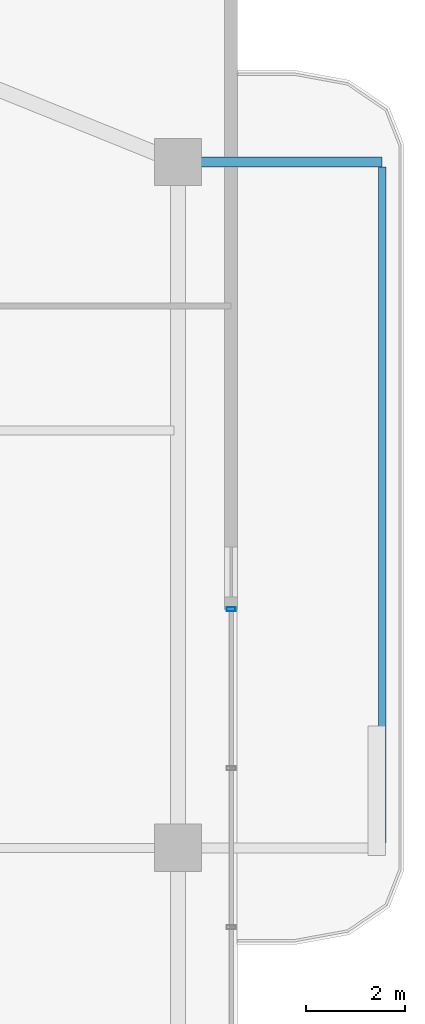
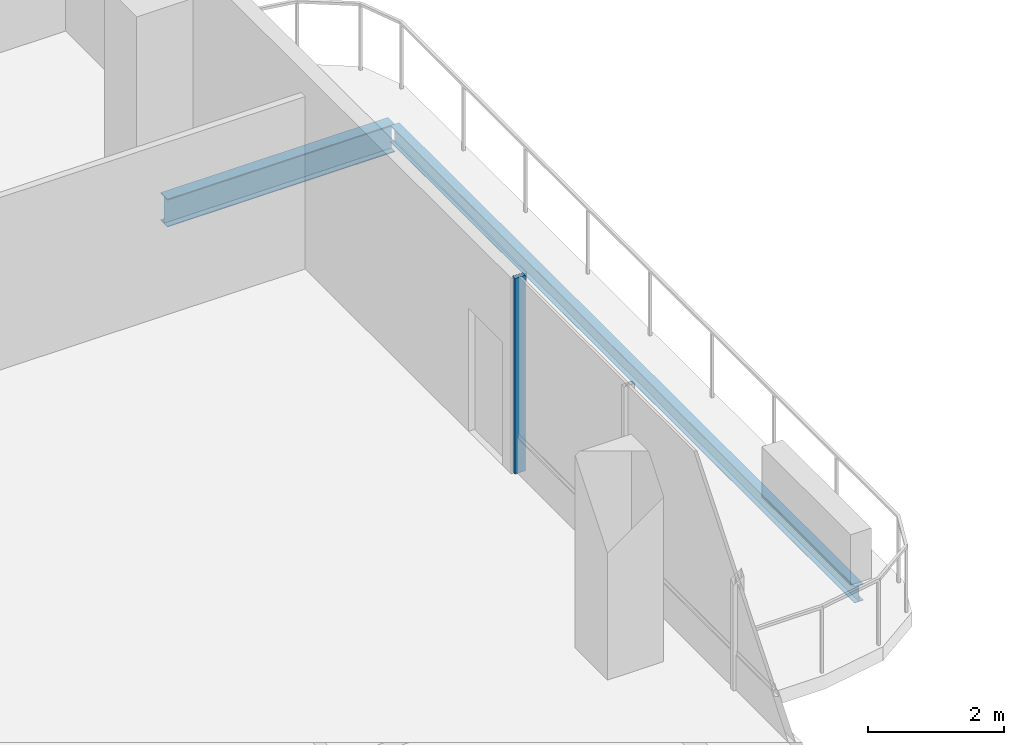
# One storey, part 15 of 24: 2 beams, 1 member, 1 element without a shape of its own.
"""IFC4 building model written with IfcOpenShell, lengths in metres."""

from ifc_helpers import new_model, si_unit, direction, frame, origin, origin_2d, place, context, subcontext, project, spatial, hollow_rectangle, i_section, extrude, material, layer, layer_set, material_profile, profile_set, type_object, element, aggregate, save


model = new_model("IFC4")

# Units and contexts
model_context = context("Model", 3, precision=1e-05, world=origin(), true_north=direction((0.0, 1.0)))
body_context = subcontext(model_context, "Body", "Model", "MODEL_VIEW")
ifc_project = project(units=[si_unit("LENGTHUNIT", "METRE"), si_unit("AREAUNIT", "SQUARE_METRE"), si_unit("VOLUMEUNIT", "CUBIC_METRE"), si_unit("PLANEANGLEUNIT", "RADIAN"), si_unit("MASSUNIT", "GRAM", prefix="KILO")], contexts=[model_context])

# Site, building, storey
site_placement = place(None, origin())
site = spatial("IfcSite", under=ifc_project, at=site_placement, CompositionType="ELEMENT")
building_placement = place(site_placement, origin())
building = spatial("IfcBuilding", under=site, at=building_placement, Name="Belovzor Exchange Tower", CompositionType="ELEMENT")
storey_placement = place(building_placement, frame((0.0, 0.0, 261.60009765625)))
storey = spatial("IfcBuildingStorey", under=building, at=storey_placement, Name="L65", CompositionType="ELEMENT", Elevation=261.60009765625)

# Beams
ifc_material_1 = material(Name="Steel S355", Category="steel")
ifc_material_profile_1 = material_profile(ifc_material_1, i_section(OverallWidth=0.199951171875, OverallDepth=0.5, WebThickness=0.01025390625, FlangeThickness=0.01611328125, at=origin_2d()))
ifc_profile_set_1 = profile_set([ifc_material_profile_1], Name="Steel S355")
beam_type_1 = type_object("IfcBeamType", Name="Planted Balcony Cantilever Beam IPE 500", PredefinedType="BEAM", material=ifc_profile_set_1)
beam_1_placement = place(storey_placement, frame((52.760986328125, 42.60009765625, -0.5), z_axis=(1.0, 0.0, 0.0), x_axis=(0.0, 1.0, 0.0)))
element("IfcBeam", 1, at=beam_1_placement, inside=storey, type_object=beam_type_1, Name="BC-500 Planted Balcony Cantilever Beam IPE 500", PredefinedType="BEAM", context=body_context, shape_type="SweptSolid", body=[
    extrude(i_section(OverallWidth=0.199951171875, OverallDepth=0.5, WebThickness=0.01025390625, FlangeThickness=0.01611328125, at=origin_2d()), origin(), (0.0, 0.0, 1.0), 3.85009765625),
])
ifc_material_2 = material(Name="Steel S355", Category="steel")
ifc_material_profile_2 = material_profile(ifc_material_2, i_section(OverallWidth=0.14990234375, OverallDepth=0.300048828125, WebThickness=0.007080078125, FlangeThickness=0.0107421875, at=origin_2d()))
ifc_profile_set_2 = profile_set([ifc_material_profile_2], Name="Steel S355")
beam_type_2 = type_object("IfcBeamType", Name="Planted Balcony Fascia Edge Beam IPE 300", PredefinedType="BEAM", material=ifc_profile_set_2)
beam_2_placement = place(storey_placement, frame((56.611083984375, 28.89990234375, -0.400146484375), z_axis=(0.0, 1.0, 0.0), x_axis=(-1.0, 0.0, 0.0)))
element("IfcBeam", 2, at=beam_2_placement, inside=storey, type_object=beam_type_2, Name="BC-300 Planted Balcony Fascia Edge Beam IPE 300", PredefinedType="BEAM", context=body_context, shape_type="SweptSolid", body=[
    extrude(i_section(OverallWidth=0.14990234375, OverallDepth=0.300048828125, WebThickness=0.007080078125, FlangeThickness=0.0107421875, at=origin_2d()), origin(), (0.0, 0.0, 1.0), 13.60009765625),
])

# Curtain wall, member
ifc_material_3 = material(Name="Anodised Aluminium Framing", Category="aluminium")
ifc_layer = layer(ifc_material_3, 0.179931640625)
ifc_layer_set = layer_set([ifc_layer], Name="Anodised Aluminium Framing")
curtain_wall_type = type_object("IfcCurtainWallType", Name="Recessed Loggia Low-Iron Triple-Glazed Curtain Wall", PredefinedType="NOTDEFINED", material=ifc_layer_set)
curtain_wall_placement = place(storey_placement, origin())
curtain_wall = element("IfcCurtainWall", 3, at=curtain_wall_placement, inside=storey, type_object=curtain_wall_type, Name="CW3 Recessed Loggia Low-Iron Triple-Glazed Curtain Wall L65", PredefinedType="NOTDEFINED")
ifc_material_4 = material(Name="Steel S355", Category="steel")
ifc_material_profile_3 = material_profile(ifc_material_4, hollow_rectangle(XDim=0.074951171875, YDim=0.179931640625, WallThickness=0.0048828125, at=origin_2d()))
ifc_profile_set_3 = profile_set([ifc_material_profile_3], Name="Steel S355")
member_type = type_object("IfcMemberType", Name="Thermally Broken Curtain Wall Mullion 180x75", PredefinedType="MULLION", material=ifc_profile_set_3)
member_placement = place(storey_placement, frame((53.570068359375, 33.60009765625, 0.0), z_axis=(0.0, 0.0, 1.0), x_axis=(0.0, -1.0, 0.0)))
member = element("IfcMember", 4, at=member_placement, type_object=member_type, Name="CW-M180 Curtain Wall Mullion 1", PredefinedType="MULLION", context=body_context, shape_type="SweptSolid", body=[
    extrude(hollow_rectangle(XDim=0.074951171875, YDim=0.179931640625, WallThickness=0.0048828125, at=origin_2d()), origin(), (0.0, 0.0, 1.0), 3.5),
])
aggregate(curtain_wall, [member])

save(model, "model.ifc")
